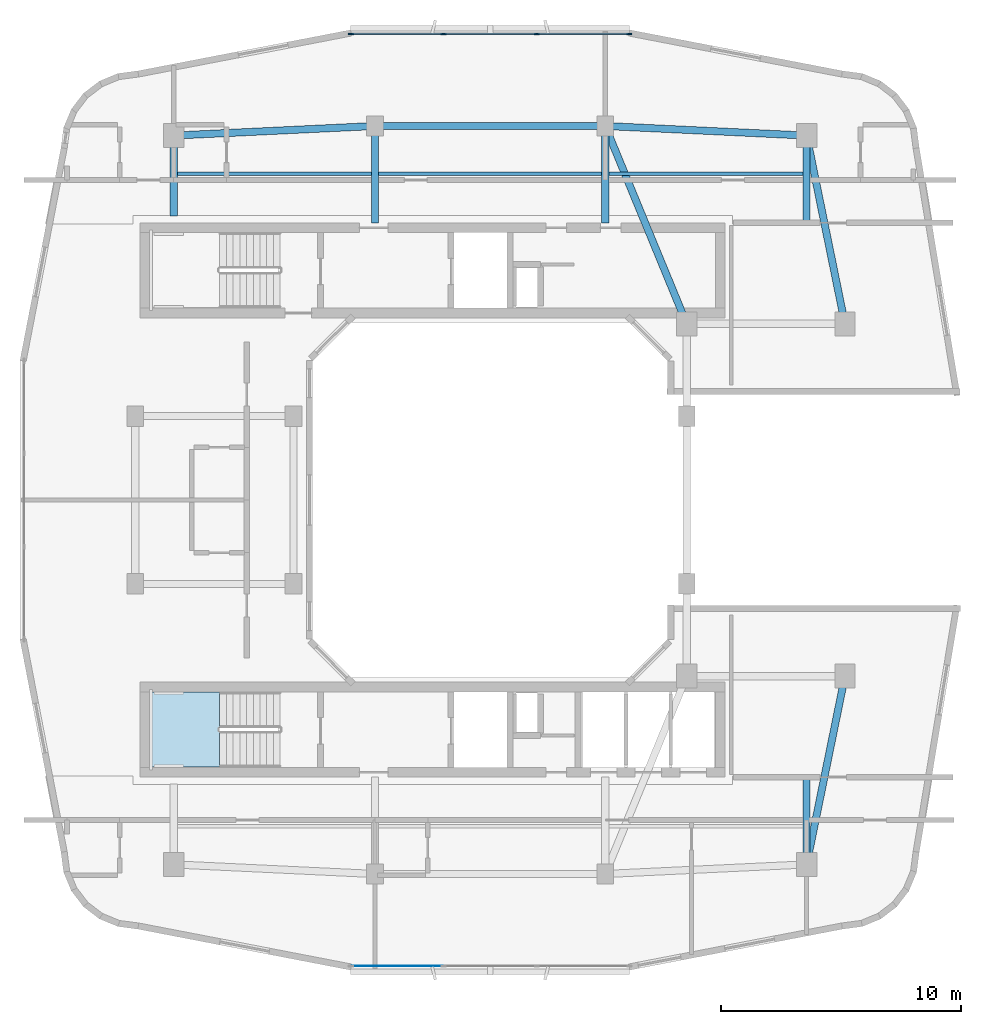
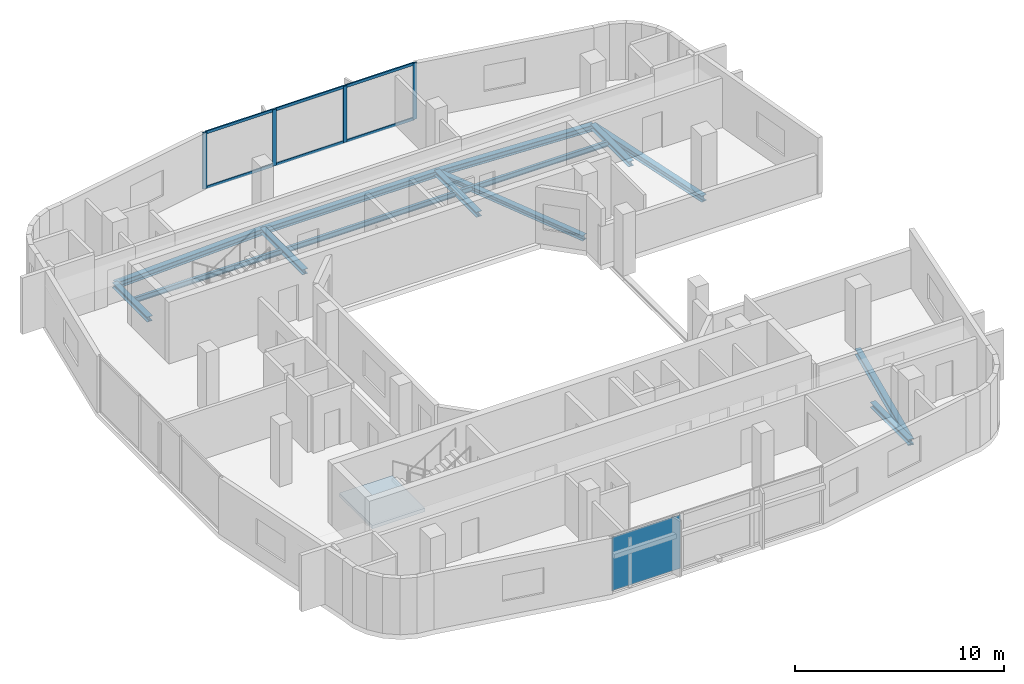
# One storey, part 3 of 12: 14 beams, 10 members, 1 plate, 1 slab, 3 elements without a shape of their own.
"""IFC4 building model written with IfcOpenShell, lengths in metres."""

from ifc_helpers import new_model, si_unit, derived_unit, direction, frame, origin, origin_2d, place, context, subcontext, project, spatial, polyline, rectangle, i_section, outline, extrude, material, layer, layer_set, material_profile, profile_set, type_object, element, aggregate, save


model = new_model("IFC4")

# Units and contexts
model_context = context("Model", 3, precision=1e-05, world=origin(), true_north=direction((0.0, 1.0)))
body_context = subcontext(model_context, "Body", "Model", "MODEL_VIEW")
ifc_project = project(units=[si_unit("LENGTHUNIT", "METRE"), si_unit("AREAUNIT", "SQUARE_METRE"), si_unit("VOLUMEUNIT", "CUBIC_METRE"), si_unit("PLANEANGLEUNIT", "RADIAN"), si_unit("MASSUNIT", "GRAM", prefix="KILO"), derived_unit("THERMALTRANSMITTANCEUNIT", [(si_unit("POWERUNIT", "WATT"), 1), (si_unit("LENGTHUNIT", "METRE"), -2), (si_unit("THERMODYNAMICTEMPERATUREUNIT", "KELVIN"), -1)])], contexts=[model_context])

# Site, building, storey
site_placement = place(None, origin())
site = spatial("IfcSite", under=ifc_project, at=site_placement, CompositionType="ELEMENT")
building_placement = place(site_placement, origin())
building = spatial("IfcBuilding", under=site, at=building_placement, Name="Kivonza Crest Hotel", CompositionType="ELEMENT")
storey_placement = place(building_placement, frame((0.0, 0.0, 195.5)))
storey = spatial("IfcBuildingStorey", under=building, at=storey_placement, Name="L53", CompositionType="ELEMENT", Elevation=195.5)

# Beams
ifc_material_1 = material(Name="Steel S355", Category="steel")
ifc_material_profile_1 = material_profile(ifc_material_1, i_section(OverallWidth=0.300048828125, OverallDepth=0.300048828125, WebThickness=0.010986328125, FlangeThickness=0.01904296875, FilletRadius=0.027099609375, at=origin_2d()), Name="HEB 300")
ifc_profile_set_1 = profile_set([ifc_material_profile_1], Name="Steel S355")
beam_type_1 = type_object("IfcBeamType", Name="BM-HEB300", PredefinedType="BEAM", material=ifc_profile_set_1)
beam_1_placement = place(storey_placement, frame((25.800048828125, 40.60009765625, -0.429931640625), z_axis=(0.381022260404, -0.924565864109, 0.0), x_axis=(0.924565864109, 0.381022260404, 0.0)))
element("IfcBeam", 1, at=beam_1_placement, inside=storey, type_object=beam_type_1, Name="Tower T1 L53 primary girder N1-TNE", PredefinedType="BEAM", context=body_context, shape_type="SweptSolid", body=[
    extrude(i_section(OverallWidth=0.300048828125, OverallDepth=0.300048828125, WebThickness=0.010986328125, FlangeThickness=0.01904296875, FilletRadius=0.027099609375, at=origin_2d()), origin(), (0.0, 0.0, 1.0), 8.923095703125),
])
beam_2_placement = place(storey_placement, frame((34.199951171875, 9.800048828125, -0.429931640625), z_axis=(0.0, 1.0, 0.0), x_axis=(-1.0, 0.0, 0.0)))
element("IfcBeam", 2, at=beam_2_placement, inside=storey, type_object=beam_type_1, Name="Tower T1 L53 radial core girder RSE", PredefinedType="BEAM", context=body_context, shape_type="SweptSolid", body=[
    extrude(i_section(OverallWidth=0.300048828125, OverallDepth=0.300048828125, WebThickness=0.010986328125, FlangeThickness=0.01904296875, FilletRadius=0.027099609375, at=origin_2d()), origin(), (0.0, 0.0, 1.0), 3.64990234375),
])
beam_3_placement = place(storey_placement, frame((7.800048828125, 40.199951171875, -0.429931640625), z_axis=(0.0, -1.0, 0.0), x_axis=(1.0, 0.0, 0.0)))
element("IfcBeam", 3, at=beam_3_placement, inside=storey, type_object=beam_type_1, Name="Tower T1 L53 radial core girder RNW", PredefinedType="BEAM", context=body_context, shape_type="SweptSolid", body=[
    extrude(i_section(OverallWidth=0.300048828125, OverallDepth=0.300048828125, WebThickness=0.010986328125, FlangeThickness=0.01904296875, FilletRadius=0.027099609375, at=origin_2d()), origin(), (0.0, 0.0, 1.0), 3.349853515625),
])
for number, where, z_axis, x_axis, name in (
    (4, (16.199951171875, 40.60009765625, -0.429931640625), (0.0, -1.0, 0.0), (1.0, 0.0, 0.0), "Tower T1 L53 radial core girder RN1"),
    (5, (25.800048828125, 40.60009765625, -0.429931640625), (0.0, -1.0, 0.0), (1.0, 0.0, 0.0), "Tower T1 L53 radial core girder RN2"),
):
    element("IfcBeam", number, at=place(storey_placement, frame(where, z_axis=z_axis, x_axis=x_axis)), inside=storey, type_object=beam_type_1, Name=name, PredefinedType="BEAM", context=body_context, shape_type="SweptSolid", body=[
        extrude(i_section(OverallWidth=0.300048828125, OverallDepth=0.300048828125, WebThickness=0.010986328125, FlangeThickness=0.01904296875, FilletRadius=0.027099609375, at=origin_2d()), origin(), (0.0, 0.0, 1.0), 4.050048828125),
    ])
beam_4_placement = place(storey_placement, frame((34.199951171875, 40.199951171875, -0.429931640625), z_axis=(0.0, -1.0, 0.0), x_axis=(1.0, 0.0, 0.0)))
element("IfcBeam", 6, at=beam_4_placement, inside=storey, type_object=beam_type_1, Name="Tower T1 L53 radial core girder RNE", PredefinedType="BEAM", context=body_context, shape_type="SweptSolid", body=[
    extrude(i_section(OverallWidth=0.300048828125, OverallDepth=0.300048828125, WebThickness=0.010986328125, FlangeThickness=0.01904296875, FilletRadius=0.027099609375, at=origin_2d()), origin(), (0.0, 0.0, 1.0), 3.64990234375),
])
ifc_material_profile_2 = material_profile(ifc_material_1, i_section(OverallWidth=0.300048828125, OverallDepth=0.360107421875, WebThickness=0.012451171875, FlangeThickness=0.0224609375, FilletRadius=0.027099609375, at=origin_2d()), Name="HEB 360")
ifc_profile_set_2 = profile_set([ifc_material_profile_2], Name="Steel S355")
beam_type_2 = type_object("IfcBeamType", Name="BM-HEB360", PredefinedType="SPANDREL", material=ifc_profile_set_2)
for number, where, z_axis, x_axis, name in (
    (7, (34.199951171875, 9.800048828125, -0.4599609375), (0.199730733965, 0.979850822273, 0.0), (-0.979850822273, 0.199730733965, 0.0), "Tower T1 L53 perimeter spandrel SE-PSE"),
    (8, (35.800048828125, 32.35009765625, -0.4599609375), (-0.199730733965, 0.979850822273, 0.0), (-0.979850822273, -0.199730733965, 0.0), "Tower T1 L53 perimeter spandrel PNE-NE"),
):
    element("IfcBeam", number, at=place(storey_placement, frame(where, z_axis=z_axis, x_axis=x_axis)), inside=storey, type_object=beam_type_2, Name=name, PredefinedType="SPANDREL", context=body_context, shape_type="SweptSolid", body=[
        extrude(i_section(OverallWidth=0.300048828125, OverallDepth=0.360107421875, WebThickness=0.012451171875, FlangeThickness=0.0224609375, FilletRadius=0.027099609375, at=origin_2d()), origin(), (0.0, 0.0, 1.0), 8.01123046875),
    ])
beam_5_placement = place(storey_placement, frame((34.199951171875, 40.199951171875, -0.4599609375), z_axis=(-0.998867283688, 0.047583080799, 0.0), x_axis=(-0.047583080799, -0.998867283688, 0.0)))
element("IfcBeam", 9, at=beam_5_placement, inside=storey, type_object=beam_type_2, Name="Tower T1 L53 perimeter spandrel NE-N2", PredefinedType="SPANDREL", context=body_context, shape_type="SweptSolid", body=[
    extrude(i_section(OverallWidth=0.300048828125, OverallDepth=0.360107421875, WebThickness=0.012451171875, FlangeThickness=0.0224609375, FilletRadius=0.027099609375, at=origin_2d()), origin(), (0.0, 0.0, 1.0), 8.409423828125),
])
beam_6_placement = place(storey_placement, frame((25.800048828125, 40.60009765625, -0.4599609375), z_axis=(-1.0, 0.0, 0.0), x_axis=(0.0, -1.0, 0.0)))
element("IfcBeam", 10, at=beam_6_placement, inside=storey, type_object=beam_type_2, Name="Tower T1 L53 perimeter spandrel N2-N1", PredefinedType="SPANDREL", context=body_context, shape_type="SweptSolid", body=[
    extrude(i_section(OverallWidth=0.300048828125, OverallDepth=0.360107421875, WebThickness=0.012451171875, FlangeThickness=0.0224609375, FilletRadius=0.027099609375, at=origin_2d()), origin(), (0.0, 0.0, 1.0), 9.60009765625),
])
beam_7_placement = place(storey_placement, frame((16.199951171875, 40.60009765625, -0.4599609375), z_axis=(-0.998867283688, -0.047583080799, 0.0), x_axis=(0.047583080799, -0.998867283688, 0.0)))
element("IfcBeam", 11, at=beam_7_placement, inside=storey, type_object=beam_type_2, Name="Tower T1 L53 perimeter spandrel N1-NW", PredefinedType="SPANDREL", context=body_context, shape_type="SweptSolid", body=[
    extrude(i_section(OverallWidth=0.300048828125, OverallDepth=0.360107421875, WebThickness=0.012451171875, FlangeThickness=0.0224609375, FilletRadius=0.027099609375, at=origin_2d()), origin(), (0.0, 0.0, 1.0), 8.409423828125),
])
ifc_material_profile_3 = material_profile(ifc_material_1, i_section(OverallWidth=0.14990234375, OverallDepth=0.300048828125, WebThickness=0.007080078125, FlangeThickness=0.0107421875, FilletRadius=0.014892578125, at=origin_2d()), Name="IPE 300")
ifc_profile_set_3 = profile_set([ifc_material_profile_3], Name="Steel S355")
beam_type_3 = type_object("IfcBeamType", Name="BM-IPE300", PredefinedType="JOIST", material=ifc_profile_set_3)
beam_8_placement = place(storey_placement, frame((7.8798828125, 38.60009765625, -0.429931640625), z_axis=(1.0, 0.0, 0.0), x_axis=(0.0, 1.0, 0.0)))
element("IfcBeam", 12, at=beam_8_placement, inside=storey, type_object=beam_type_3, Name="Tower T1 L53 North-West floor joist", PredefinedType="JOIST", context=body_context, shape_type="SweptSolid", body=[
    extrude(i_section(OverallWidth=0.14990234375, OverallDepth=0.300048828125, WebThickness=0.007080078125, FlangeThickness=0.0107421875, FilletRadius=0.014892578125, at=origin_2d()), origin(), (0.0, 0.0, 1.0), 8.240234375),
])
beam_9_placement = place(storey_placement, frame((16.280029296875, 38.60009765625, -0.429931640625), z_axis=(1.0, 0.0, 0.0), x_axis=(0.0, 1.0, 0.0)))
element("IfcBeam", 13, at=beam_9_placement, inside=storey, type_object=beam_type_3, Name="Tower T1 L53 North-Mid floor joist", PredefinedType="JOIST", context=body_context, shape_type="SweptSolid", body=[
    extrude(i_section(OverallWidth=0.14990234375, OverallDepth=0.300048828125, WebThickness=0.007080078125, FlangeThickness=0.0107421875, FilletRadius=0.014892578125, at=origin_2d()), origin(), (0.0, 0.0, 1.0), 9.43994140625),
])
beam_10_placement = place(storey_placement, frame((25.8798828125, 38.60009765625, -0.429931640625), z_axis=(1.0, 0.0, 0.0), x_axis=(0.0, 1.0, 0.0)))
element("IfcBeam", 14, at=beam_10_placement, inside=storey, type_object=beam_type_3, Name="Tower T1 L53 North-East floor joist", PredefinedType="JOIST", context=body_context, shape_type="SweptSolid", body=[
    extrude(i_section(OverallWidth=0.14990234375, OverallDepth=0.300048828125, WebThickness=0.007080078125, FlangeThickness=0.0107421875, FilletRadius=0.014892578125, at=origin_2d()), origin(), (0.0, 0.0, 1.0), 8.240234375),
])

# Curtain wall, members
ifc_material_2 = material(Name="Anodised bronze aluminium and low-E double glazing", Category="aluminium")
ifc_layer_1 = layer(ifc_material_2, 0.179931640625)
ifc_layer_set_1 = layer_set([ifc_layer_1], Name="Anodised bronze aluminium and low-E double glazing")
curtain_wall_type = type_object("IfcCurtainWallType", Name="CW-SYS-3", PredefinedType="NOTDEFINED", material=ifc_layer_set_1)
curtain_wall_1_placement = place(storey_placement, origin())
curtain_wall_1 = element("IfcCurtainWall", 15, at=curtain_wall_1_placement, inside=storey, type_object=curtain_wall_type, Name="L53 unitised curtain wall CW-T1-L53-36", PredefinedType="NOTDEFINED")
ifc_material_3 = material(Name="Anodised bronze aluminium", Category="aluminium")
ifc_material_profile_4 = material_profile(ifc_material_3, rectangle(XDim=0.074951171875, YDim=0.219970703125, at=origin_2d()), Name="CW-M 75x220")
ifc_profile_set_4 = profile_set([ifc_material_profile_4], Name="Anodised bronze aluminium")
member_type_1 = type_object("IfcMemberType", Name="CW-MUL-75x220", PredefinedType="MULLION", material=ifc_profile_set_4)
member_1_placement = place(storey_placement, frame((26.802490234375, 44.43994140625, 0.0), z_axis=(0.0, 0.0, 1.0), x_axis=(0.0, -1.0, 0.0)))
member_1 = element("IfcMember", 16, at=member_1_placement, type_object=member_type_1, Name="CW-3 mullion 1", PredefinedType="MULLION", context=body_context, shape_type="SweptSolid", body=[
    extrude(rectangle(XDim=0.074951171875, YDim=0.219970703125, at=origin_2d()), origin(), (0.0, 0.0, 1.0), 3.280029296875),
])
member_2_placement = place(storey_placement, frame((22.94677734375, 44.43994140625, 0.0), z_axis=(0.0, 0.0, 1.0), x_axis=(0.0, -1.0, 0.0)))
member_2 = element("IfcMember", 17, at=member_2_placement, type_object=member_type_1, Name="CW-3 mullion 2", PredefinedType="MULLION", context=body_context, shape_type="SweptSolid", body=[
    extrude(rectangle(XDim=0.074951171875, YDim=0.219970703125, at=origin_2d()), origin(), (0.0, 0.0, 1.0), 3.280029296875),
])
member_3_placement = place(storey_placement, frame((19.05322265625, 44.43994140625, 0.0), z_axis=(0.0, 0.0, 1.0), x_axis=(0.0, -1.0, 0.0)))
member_3 = element("IfcMember", 18, at=member_3_placement, type_object=member_type_1, Name="CW-3 mullion 3", PredefinedType="MULLION", context=body_context, shape_type="SweptSolid", body=[
    extrude(rectangle(XDim=0.074951171875, YDim=0.219970703125, at=origin_2d()), origin(), (0.0, 0.0, 1.0), 3.280029296875),
])
member_4_placement = place(storey_placement, frame((15.197509765625, 44.43994140625, 0.0), z_axis=(0.0, 0.0, 1.0), x_axis=(0.0, -1.0, 0.0)))
member_4 = element("IfcMember", 19, at=member_4_placement, type_object=member_type_1, Name="CW-3 mullion 4", PredefinedType="MULLION", context=body_context, shape_type="SweptSolid", body=[
    extrude(rectangle(XDim=0.074951171875, YDim=0.219970703125, at=origin_2d()), origin(), (0.0, 0.0, 1.0), 3.280029296875),
])
ifc_material_profile_5 = material_profile(ifc_material_3, rectangle(XDim=0.074951171875, YDim=0.159912109375, at=origin_2d()), Name="CW-T 75x160")
ifc_profile_set_5 = profile_set([ifc_material_profile_5], Name="Anodised bronze aluminium")
member_type_2 = type_object("IfcMemberType", Name="CW-TRN-75x160", PredefinedType="USERDEFINED", material=ifc_profile_set_5)
member_5_placement = place(storey_placement, frame((26.764892578125, 44.43994140625, 0.03759765625), z_axis=(-1.0, 0.0, 0.0), x_axis=(0.0, -1.0, 0.0)))
member_5 = element("IfcMember", 20, at=member_5_placement, type_object=member_type_2, Name="CW-3 transom 1.1", ObjectType="TRANSOM", PredefinedType="USERDEFINED", context=body_context, shape_type="SweptSolid", body=[
    extrude(rectangle(XDim=0.074951171875, YDim=0.159912109375, at=origin_2d()), origin(), (0.0, 0.0, 1.0), 3.78076171875),
])
member_6_placement = place(storey_placement, frame((26.764892578125, 44.43994140625, 3.242431640625), z_axis=(-1.0, 0.0, 0.0), x_axis=(0.0, -1.0, 0.0)))
member_6 = element("IfcMember", 21, at=member_6_placement, type_object=member_type_2, Name="CW-3 transom 1.2", ObjectType="TRANSOM", PredefinedType="USERDEFINED", context=body_context, shape_type="SweptSolid", body=[
    extrude(rectangle(XDim=0.074951171875, YDim=0.159912109375, at=origin_2d()), origin(), (0.0, 0.0, 1.0), 3.78076171875),
])
member_7_placement = place(storey_placement, frame((22.9091796875, 44.43994140625, 0.03759765625), z_axis=(-1.0, 0.0, 0.0), x_axis=(0.0, -1.0, 0.0)))
member_7 = element("IfcMember", 22, at=member_7_placement, type_object=member_type_2, Name="CW-3 transom 2.1", ObjectType="TRANSOM", PredefinedType="USERDEFINED", context=body_context, shape_type="SweptSolid", body=[
    extrude(rectangle(XDim=0.074951171875, YDim=0.159912109375, at=origin_2d()), origin(), (0.0, 0.0, 1.0), 3.818359375),
])
member_8_placement = place(storey_placement, frame((22.9091796875, 44.43994140625, 3.242431640625), z_axis=(-1.0, 0.0, 0.0), x_axis=(0.0, -1.0, 0.0)))
member_8 = element("IfcMember", 23, at=member_8_placement, type_object=member_type_2, Name="CW-3 transom 2.2", ObjectType="TRANSOM", PredefinedType="USERDEFINED", context=body_context, shape_type="SweptSolid", body=[
    extrude(rectangle(XDim=0.074951171875, YDim=0.159912109375, at=origin_2d()), origin(), (0.0, 0.0, 1.0), 3.818359375),
])
member_9_placement = place(storey_placement, frame((19.015869140625, 44.43994140625, 0.03759765625), z_axis=(-1.0, 0.0, 0.0), x_axis=(0.0, -1.0, 0.0)))
member_9 = element("IfcMember", 24, at=member_9_placement, type_object=member_type_2, Name="CW-3 transom 3.1", ObjectType="TRANSOM", PredefinedType="USERDEFINED", context=body_context, shape_type="SweptSolid", body=[
    extrude(rectangle(XDim=0.074951171875, YDim=0.159912109375, at=origin_2d()), origin(), (0.0, 0.0, 1.0), 3.78076171875),
])
member_10_placement = place(storey_placement, frame((19.015869140625, 44.43994140625, 3.242431640625), z_axis=(-1.0, 0.0, 0.0), x_axis=(0.0, -1.0, 0.0)))
member_10 = element("IfcMember", 25, at=member_10_placement, type_object=member_type_2, Name="CW-3 transom 3.2", ObjectType="TRANSOM", PredefinedType="USERDEFINED", context=body_context, shape_type="SweptSolid", body=[
    extrude(rectangle(XDim=0.074951171875, YDim=0.159912109375, at=origin_2d()), origin(), (0.0, 0.0, 1.0), 3.78076171875),
])
aggregate(curtain_wall_1, [member_1, member_2, member_3, member_4, member_5, member_6, member_7, member_8, member_9, member_10])

# Curtain wall, plate
curtain_wall_2_placement = place(storey_placement, origin())
curtain_wall_2 = element("IfcCurtainWall", 26, at=curtain_wall_2_placement, inside=storey, type_object=curtain_wall_type, Name="L53 unitised curtain wall CW-T1-L53-08", PredefinedType="NOTDEFINED")
ifc_material_4 = material(Name="Acoustic triple-laminated low-E glazing", Category="glass")
ifc_layer_2 = layer(ifc_material_4, 0.035888671875)
ifc_layer_set_2 = layer_set([ifc_layer_2], Name="Acoustic triple-laminated low-E glazing")
plate_type = type_object("IfcPlateType", Name="CW-PNL-36", PredefinedType="CURTAIN_PANEL", material=ifc_layer_set_2)
plate_placement = place(storey_placement, frame((17.12548828125, 5.56005859375, 0.074951171875), z_axis=(0.0, 0.0, 1.0), x_axis=(1.0, 0.0, 0.0)))
plate = element("IfcPlate", 27, at=plate_placement, type_object=plate_type, Name="CW-3 panel 1.1", PredefinedType="CURTAIN_PANEL", context=body_context, shape_type="SweptSolid", body=[
    extrude(rectangle(XDim=3.78076171875, YDim=0.035888671875, at=origin_2d()), origin(), (0.0, 0.0, 1.0), 3.1298828125),
])
aggregate(curtain_wall_2, [plate])

# Stair, slab
ifc_material_5 = material(Name="Concrete C40/50", Category="concrete")
stair_type = type_object("IfcStairType", Name="ST-DL-20R", PredefinedType="HALF_TURN_STAIR", material=ifc_material_5)
stair_placement = place(storey_placement, origin())
stair = element("IfcStair", 28, at=stair_placement, inside=storey, type_object=stair_type, Name="L53 Protected Exit Stair ST-T1-S", PredefinedType="HALF_TURN_STAIR")
ifc_layer_3 = layer(ifc_material_5, 0.199951171875)
ifc_layer_set_3 = layer_set([ifc_layer_3], Name="Concrete C40/50")
slab_type = type_object("IfcSlabType", Name="SL-LAND-200", PredefinedType="LANDING", material=ifc_layer_set_3)
slab_placement = place(storey_placement, frame((0.0, 0.0, 1.60009765625)))
slab = element("IfcSlab", 29, at=slab_placement, type_object=slab_type, Name="ST-T1-S landing 1", PredefinedType="LANDING", context=body_context, shape_type="SweptSolid", body=[
    extrude(outline(polyline([(9.719970703125, 17.0), (6.800048828125, 17.0), (6.800048828125, 13.860107421875), (9.719970703125, 13.860107421875), (9.719970703125, 17.0)])), origin(), (0.0, 0.0, 1.0), 0.199951171875),
])
aggregate(stair, [slab])

save(model, "model.ifc")
